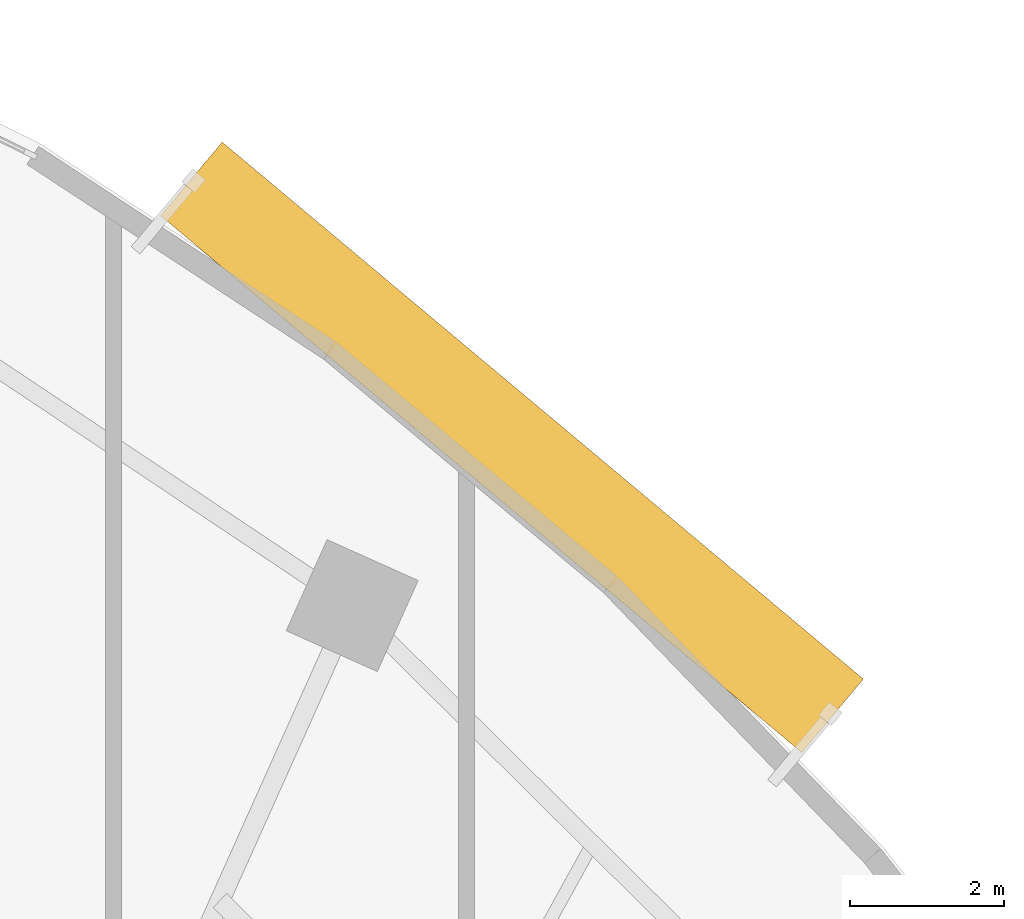
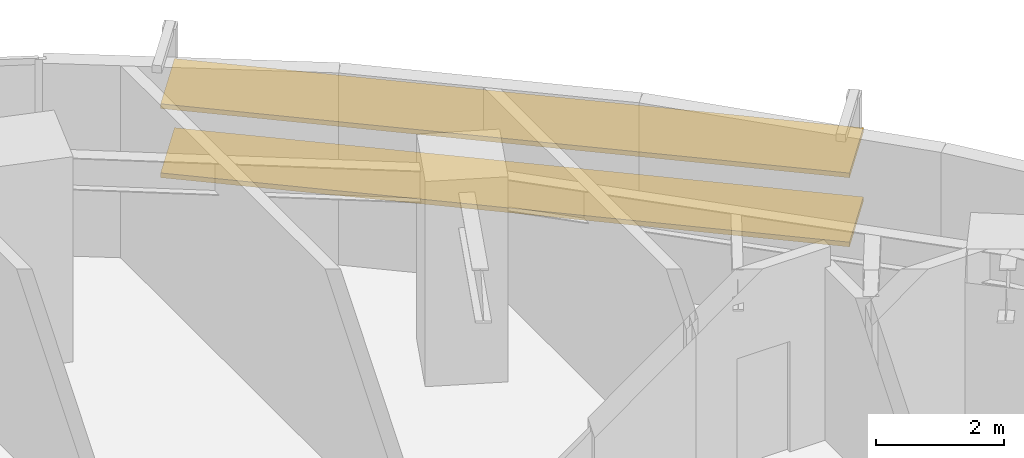
# One storey, part 14 of 14: 2 shading devices.
"""IFC4 building model written with IfcOpenShell, lengths in metres."""

from ifc_helpers import new_model, si_unit, direction, frame, origin, origin_2d, place, context, subcontext, project, spatial, rectangle, extrude, source, transform, mapped, material, material_profile, profile_set, type_object, element, save


model = new_model("IFC4")

# Units and contexts
model_context = context("Model", 3, precision=1e-05, world=origin(), true_north=direction((0.0, 1.0)))
body_context = subcontext(model_context, "Body", "Model", "MODEL_VIEW")
ifc_project = project(units=[si_unit("LENGTHUNIT", "METRE"), si_unit("AREAUNIT", "SQUARE_METRE"), si_unit("VOLUMEUNIT", "CUBIC_METRE"), si_unit("PLANEANGLEUNIT", "RADIAN"), si_unit("MASSUNIT", "GRAM", prefix="KILO")], contexts=[model_context])

# Site, building, storey
site_placement = place(None, origin())
site = spatial("IfcSite", under=ifc_project, at=site_placement, CompositionType="ELEMENT")
building_placement = place(site_placement, origin())
building = spatial("IfcBuilding", under=site, at=building_placement, Name="Breltana Convention Tower", CompositionType="ELEMENT")
storey_placement = place(building_placement, frame((0.0, 0.0, 138.89990234375)))
storey = spatial("IfcBuildingStorey", under=building, at=storey_placement, Name="L33", CompositionType="ELEMENT", Elevation=138.89990234375)

# Shading devices
ifc_material = material(Name="Limestone Warm Buff Honed", Category="masonry")
ifc_material_profile = material_profile(ifc_material, rectangle(XDim=1.25, YDim=0.090087890625, at=origin_2d()), Name="STN-LVR-1250X90")
ifc_profile_set = profile_set([ifc_material_profile], Name="Limestone Warm Buff Honed")
shading_device_type = type_object("IfcShadingDeviceType", Name="SHD-OUTER-SKIN-LIMESTONE-1250", PredefinedType="JALOUSIE", material=ifc_profile_set)
shared_shape = source(origin(), body_context, "Body", "SweptSolid", [
    extrude(rectangle(XDim=1.25, YDim=0.090087890625, at=origin_2d()), origin(), (0.0, 0.0, 1.0), 10.892333984375),
])
for number, where, z_axis, x_axis, name in (
    (1, (66.81591796875, 74.190673828125, 1.314208984375), (0.766718160057, -0.641983849515, 0.0), (0.641983849515, 0.766718160057, 0.0), "L33 outer skin warm limestone louvre 2.1"),
    (2, (66.81591796875, 74.190673828125, 2.628173828125), (0.766718160057, -0.641983849515, 0.0), (0.641983849515, 0.766718160057, 0.0), "L33 outer skin warm limestone louvre 2.2"),
):
    element("IfcShadingDevice", number, at=place(storey_placement, frame(where, z_axis=z_axis, x_axis=x_axis)), inside=storey, type_object=shading_device_type, Name=name, PredefinedType="JALOUSIE", context=body_context, shape_type="MappedRepresentation", body=[
        mapped(shared_shape, transform((0.0, 0.0, 0.0), scale=1.0)),
    ])

save(model, "model.ifc")
